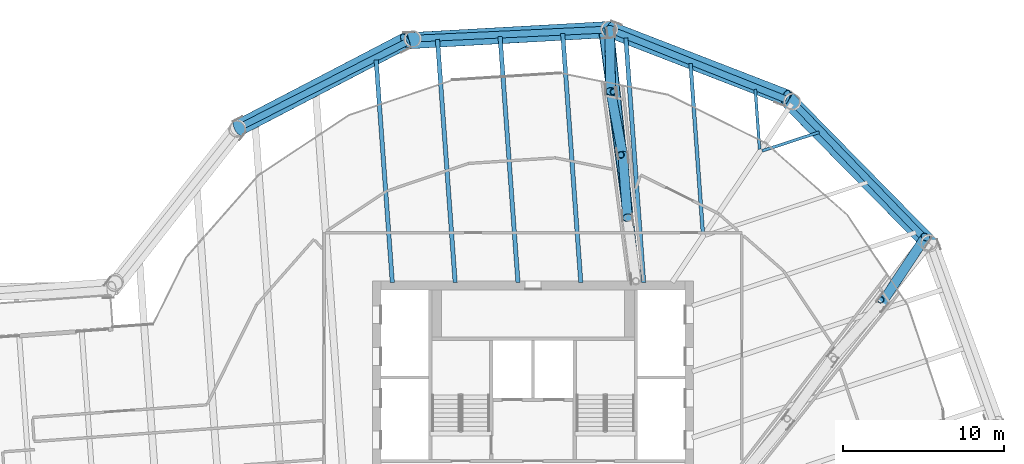
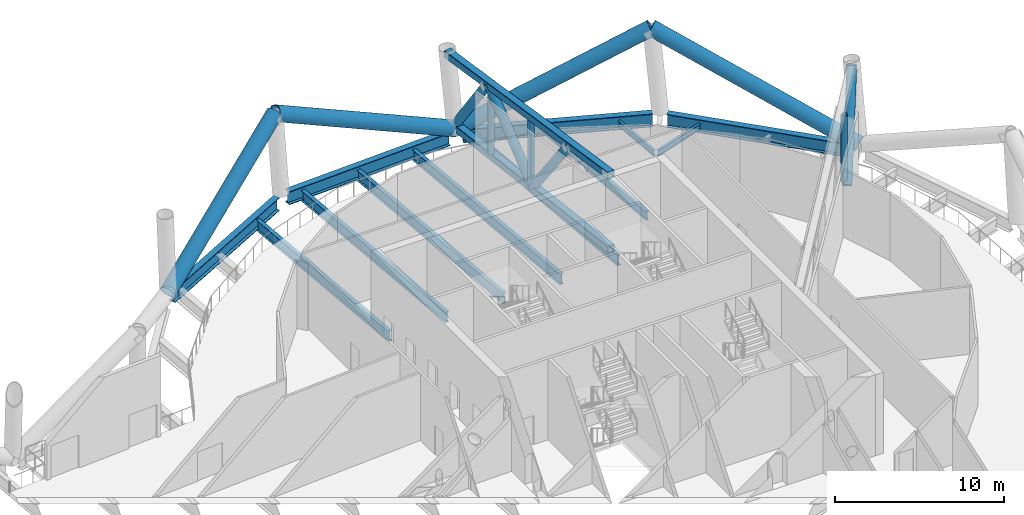
# One storey, part 8 of 33: 13 members, 12 beams.
"""IFC4 building model written with IfcOpenShell, lengths in metres."""

from ifc_helpers import new_model, si_unit, direction, frame, origin, origin_2d, place, context, subcontext, project, spatial, hollow_rectangle, hollow_circle, i_section, extrude, material, material_profile, profile_set, type_object, element, save


model = new_model("IFC4")

# Units and contexts
model_context = context("Model", 3, precision=1e-05, world=origin(), true_north=direction((0.0, 1.0)))
body_context = subcontext(model_context, "Body", "Model", "MODEL_VIEW")
ifc_project = project(units=[si_unit("LENGTHUNIT", "METRE"), si_unit("AREAUNIT", "SQUARE_METRE"), si_unit("VOLUMEUNIT", "CUBIC_METRE"), si_unit("PLANEANGLEUNIT", "RADIAN"), si_unit("MASSUNIT", "GRAM", prefix="KILO")], contexts=[model_context])

# Site, building, storey
site_placement = place(None, origin())
site = spatial("IfcSite", under=ifc_project, at=site_placement, CompositionType="ELEMENT")
building_placement = place(site_placement, origin())
building = spatial("IfcBuilding", under=site, at=building_placement, Name="Tarsis Ring Headquarters", CompositionType="ELEMENT")
storey_placement = place(building_placement, frame((0.0, 0.0, 302.0)))
storey = spatial("IfcBuildingStorey", under=building, at=storey_placement, Name="L71", CompositionType="ELEMENT", Elevation=302.0)

# Beams
ifc_material = material(Name="Structural steel S355", Category="steel")
ifc_material_profile_1 = material_profile(ifc_material, i_section(OverallWidth=0.177734375, OverallDepth=0.406494140625, WebThickness=0.0078125, FlangeThickness=0.0126953125, at=origin_2d()), Name="W16x40")
ifc_profile_set_1 = profile_set([ifc_material_profile_1], Name="Structural steel S355")
beam_type_1 = type_object("IfcBeamType", Name="FB Floor beam W16x40", PredefinedType="JOIST", material=ifc_profile_set_1)
for number, where, z_axis, x_axis, name in (
    (1, (14.254638671875, 21.093505859375, -0.503173828125), (0.950199135145, 0.311643391667, 0.0), (-0.311643391667, 0.950199135145, 0.0), "Floor beam FB1"),
    (2, (13.828125, 24.92919921875, -0.503173828125), (0.072494390523, -0.997368820118, 0.0), (0.997368820118, 0.072494390523, 0.0), "Floor beam FB1"),
):
    element("IfcBeam", number, at=place(storey_placement, frame(where, z_axis=z_axis, x_axis=x_axis)), inside=storey, type_object=beam_type_1, Name=name, PredefinedType="JOIST", context=body_context, shape_type="SweptSolid", body=[
        extrude(i_section(OverallWidth=0.177734375, OverallDepth=0.406494140625, WebThickness=0.0078125, FlangeThickness=0.0126953125, at=origin_2d()), origin(), (0.0, 0.0, 1.0), 3.741455078125),
    ])
ifc_material_profile_2 = material_profile(ifc_material, i_section(OverallWidth=0.228271484375, OverallDepth=0.607177734375, WebThickness=0.01123046875, FlangeThickness=0.017333984375, at=origin_2d()), Name="W24x76")
ifc_profile_set_2 = profile_set([ifc_material_profile_2], Name="Structural steel S355")
beam_type_2 = type_object("IfcBeamType", Name="FB Floor beam W24x76", PredefinedType="JOIST", material=ifc_profile_set_2)
beam_1_placement = place(storey_placement, frame((9.80126953125, 26.529052734375, -0.603515625), z_axis=(0.072544010366, -0.997365212227, 0.0), x_axis=(0.997365212227, 0.072544010366, 0.0)))
element("IfcBeam", 3, at=beam_1_placement, inside=storey, type_object=beam_type_2, Name="Floor beam FB4", PredefinedType="JOIST", context=body_context, shape_type="SweptSolid", body=[
    extrude(i_section(OverallWidth=0.228271484375, OverallDepth=0.607177734375, WebThickness=0.01123046875, FlangeThickness=0.017333984375, at=origin_2d()), origin(), (0.0, 0.0, 1.0), 10.621337890625),
])
ifc_material_profile_3 = material_profile(ifc_material, i_section(OverallWidth=0.2666015625, OverallDepth=0.7568359375, WebThickness=0.013916015625, FlangeThickness=0.019287109375, at=origin_2d()), Name="W30x108")
ifc_profile_set_3 = profile_set([ifc_material_profile_3], Name="Structural steel S355")
beam_type_3 = type_object("IfcBeamType", Name="FB Floor beam W30x108", PredefinedType="JOIST", material=ifc_profile_set_3)
beam_2_placement = place(storey_placement, frame((5.774658203125, 28.12890625, -0.678466796875), z_axis=(0.072543503776, -0.997365249074, 0.0), x_axis=(0.997365249074, 0.072543503776, 0.0)))
element("IfcBeam", 4, at=beam_2_placement, inside=storey, type_object=beam_type_3, Name="Floor beam FB6", PredefinedType="JOIST", context=body_context, shape_type="SweptSolid", body=[
    extrude(i_section(OverallWidth=0.2666015625, OverallDepth=0.7568359375, WebThickness=0.013916015625, FlangeThickness=0.019287109375, at=origin_2d()), origin(), (0.0, 0.0, 1.0), 15.26904296875),
])
beam_3_placement = place(storey_placement, frame((1.8447265625, 28.400390625, -0.678466796875), z_axis=(0.072529729249, -0.99736625087, 0.0), x_axis=(0.99736625087, 0.072529729249, 0.0)))
element("IfcBeam", 5, at=beam_3_placement, inside=storey, type_object=beam_type_3, Name="Floor beam FB6", PredefinedType="JOIST", context=body_context, shape_type="SweptSolid", body=[
    extrude(i_section(OverallWidth=0.2666015625, OverallDepth=0.7568359375, WebThickness=0.013916015625, FlangeThickness=0.019287109375, at=origin_2d()), origin(), (0.0, 0.0, 1.0), 15.541259765625),
])
beam_4_placement = place(storey_placement, frame((-2.052490234375, 28.218505859375, -0.678466796875), z_axis=(0.07254834549, -0.997364896899, 0.0), x_axis=(0.997364896899, 0.07254834549, 0.0)))
element("IfcBeam", 6, at=beam_4_placement, inside=storey, type_object=beam_type_3, Name="Floor beam FB6", PredefinedType="JOIST", context=body_context, shape_type="SweptSolid", body=[
    extrude(i_section(OverallWidth=0.2666015625, OverallDepth=0.7568359375, WebThickness=0.013916015625, FlangeThickness=0.019287109375, at=origin_2d()), origin(), (0.0, 0.0, 1.0), 15.35888671875),
])
beam_5_placement = place(storey_placement, frame((-5.949462890625, 28.036376953125, -0.678466796875), z_axis=(0.072536568638, -0.997365753478, 0.0), x_axis=(0.997365753478, 0.072536568638, 0.0)))
element("IfcBeam", 7, at=beam_5_placement, inside=storey, type_object=beam_type_3, Name="Floor beam FB6", PredefinedType="JOIST", context=body_context, shape_type="SweptSolid", body=[
    extrude(i_section(OverallWidth=0.2666015625, OverallDepth=0.7568359375, WebThickness=0.013916015625, FlangeThickness=0.019287109375, at=origin_2d()), origin(), (0.0, 0.0, 1.0), 15.17626953125),
])
beam_6_placement = place(storey_placement, frame((-9.766845703125, 26.759033203125, -0.678466796875), z_axis=(0.072545546628, -0.997365100484, 0.0), x_axis=(0.997365100484, 0.072545546628, 0.0)))
element("IfcBeam", 8, at=beam_6_placement, inside=storey, type_object=beam_type_3, Name="Floor beam FB6", PredefinedType="JOIST", context=body_context, shape_type="SweptSolid", body=[
    extrude(i_section(OverallWidth=0.2666015625, OverallDepth=0.7568359375, WebThickness=0.013916015625, FlangeThickness=0.019287109375, at=origin_2d()), origin(), (0.0, 0.0, 1.0), 13.8955078125),
])

# Members
ifc_material_profile_4 = material_profile(ifc_material, hollow_rectangle(XDim=0.508056640625, YDim=0.508056640625, WallThickness=0.025390625, InnerFilletRadius=0.025390625, OuterFilletRadius=0.05078125, at=origin_2d()), Name="HSS 508x508x25")
ifc_profile_set_4 = profile_set([ifc_material_profile_4], Name="Structural steel S355")
member_type_1 = type_object("IfcMemberType", Name="OC Outrigger chord HSS 508x508x25", PredefinedType="CHORD", material=ifc_profile_set_4)
member_1_placement = place(storey_placement, frame((6.39990234375, 13.0, 0.25390625), z_axis=(-0.103499301282, 0.994629526323, 0.0), x_axis=(-0.994629526323, -0.103499301282, 0.0)))
element("IfcMember", 9, at=member_1_placement, inside=storey, type_object=member_type_1, Name="Outrigger chord OC1", PredefinedType="CHORD", context=body_context, shape_type="SweptSolid", body=[
    extrude(hollow_rectangle(XDim=0.508056640625, YDim=0.508056640625, WallThickness=0.025390625, InnerFilletRadius=0.025390625, OuterFilletRadius=0.05078125, at=origin_2d()), origin(), (0.0, 0.0, 1.0), 15.73828125),
])
member_2_placement = place(storey_placement, frame((6.39990234375, 13.0, 5.5859375), z_axis=(-0.131830079208, 0.991272328987, 0.0), x_axis=(-0.991272328987, -0.131830079208, 0.0)))
element("IfcMember", 10, at=member_2_placement, inside=storey, type_object=member_type_1, Name="Outrigger chord OC1", PredefinedType="CHORD", context=body_context, shape_type="SweptSolid", body=[
    extrude(hollow_rectangle(XDim=0.508056640625, YDim=0.508056640625, WallThickness=0.025390625, InnerFilletRadius=0.025390625, OuterFilletRadius=0.05078125, at=origin_2d()), origin(), (0.0, 0.0, 1.0), 15.865478515625),
])
ifc_material_profile_5 = material_profile(ifc_material, hollow_circle(Radius=0.3046875, WallThickness=0.02490234375, at=origin_2d()), Name="CHS 610x25")
ifc_profile_set_5 = profile_set([ifc_material_profile_5], Name="Structural steel S355")
member_type_2 = type_object("IfcMemberType", Name="OD Outrigger diagonal CHS 610x25", PredefinedType="BRACE", material=ifc_profile_set_5)
member_3_placement = place(storey_placement, frame((21.7373046875, 11.669921875, 0.25390625), z_axis=(0.371746140726, 0.562353969068, 0.738622244675), x_axis=(-0.834205092637, 0.551454316711, 0.0)))
element("IfcMember", 11, at=member_3_placement, inside=storey, type_object=member_type_2, Name="Outrigger diagonal OD1", PredefinedType="BRACE", context=body_context, shape_type="SweptSolid", body=[
    extrude(hollow_circle(Radius=0.3046875, WallThickness=0.02490234375, at=origin_2d()), origin(), (0.0, 0.0, 1.0), 7.218994140625),
])
member_4_placement = place(storey_placement, frame((5.876953125, 16.931640625, 5.5859375), z_axis=(-0.044102200659, 0.589322120194, -0.806693519589), x_axis=(-0.997211532698, -0.074626798498, 0.0)))
element("IfcMember", 12, at=member_4_placement, inside=storey, type_object=member_type_2, Name="Outrigger diagonal OD1", PredefinedType="BRACE", context=body_context, shape_type="SweptSolid", body=[
    extrude(hollow_circle(Radius=0.3046875, WallThickness=0.02490234375, at=origin_2d()), origin(), (0.0, 0.0, 1.0), 6.609619140625),
])
member_5_placement = place(storey_placement, frame((5.58544921875, 20.826904296875, 0.25390625), z_axis=(-0.112740226902, 0.593227467809, 0.797101507134), x_axis=(-0.982416248769, -0.186703813981, 0.0)))
element("IfcMember", 13, at=member_5_placement, inside=storey, type_object=member_type_2, Name="Outrigger diagonal OD1", PredefinedType="BRACE", context=body_context, shape_type="SweptSolid", body=[
    extrude(hollow_circle(Radius=0.3046875, WallThickness=0.02490234375, at=origin_2d()), origin(), (0.0, 0.0, 1.0), 6.689208984375),
])
member_6_placement = place(storey_placement, frame((4.831298828125, 24.795166015625, 5.5859375), z_axis=(-0.009161701947, 0.586237648861, -0.81008733003), x_axis=(-0.999877905706, -0.015626057748, 0.0)))
element("IfcMember", 14, at=member_6_placement, inside=storey, type_object=member_type_2, Name="Outrigger diagonal OD1", PredefinedType="BRACE", context=body_context, shape_type="SweptSolid", body=[
    extrude(hollow_circle(Radius=0.3046875, WallThickness=0.02490234375, at=origin_2d()), origin(), (0.0, 0.0, 1.0), 6.58203125),
])
ifc_material_profile_6 = material_profile(ifc_material, hollow_circle(Radius=0.203125, WallThickness=0.01611328125, at=origin_2d()), Name="CHS 406x16")
ifc_profile_set_6 = profile_set([ifc_material_profile_6], Name="Structural steel S355")
member_type_3 = type_object("IfcMemberType", Name="OV Outrigger post CHS 406x16", PredefinedType="STRUT", material=ifc_profile_set_6)
for number, where, z_axis, x_axis, name in (
    (15, (21.636962890625, 11.828369140625, 0.508056640625), (0.0, 0.0, 1.0), (1.0, 0.0, 0.0), "Outrigger post OV1"),
    (16, (5.4697265625, 20.84521484375, 0.508056640625), (0.0, 0.0, 1.0), (1.0, 0.0, 0.0), "Outrigger post OV1"),
    (17, (5.0048828125, 24.767822265625, 0.508056640625), (0.0, 0.0, 1.0), (1.0, 0.0, 0.0), "Outrigger post OV1"),
):
    element("IfcMember", number, at=place(storey_placement, frame(where, z_axis=z_axis, x_axis=x_axis)), inside=storey, type_object=member_type_3, Name=name, PredefinedType="STRUT", context=body_context, shape_type="SweptSolid", body=[
        extrude(hollow_circle(Radius=0.203125, WallThickness=0.01611328125, at=origin_2d()), origin(), (0.0, 0.0, 1.0), 4.823974609375),
    ])
ifc_material_profile_7 = material_profile(ifc_material, hollow_circle(Radius=0.508056640625, WallThickness=0.0400390625, at=origin_2d()), Name="CHS 1016x40")
ifc_profile_set_7 = profile_set([ifc_material_profile_7], Name="Structural steel S355")
member_type_4 = type_object("IfcMemberType", Name="TD Belt truss diagonal CHS 1016x40", PredefinedType="BRACE", material=ifc_profile_set_7)
member_7_placement = place(storey_placement, frame((24.683349609375, 15.31494140625, 0.0), z_axis=(-0.634416099771, 0.645391018794, 0.425425252203), x_axis=(-0.713144317184, -0.701017248624, 0.0)))
element("IfcMember", 18, at=member_7_placement, inside=storey, type_object=member_type_4, Name="Belt truss diagonal TD6", PredefinedType="BRACE", context=body_context, shape_type="SweptSolid", body=[
    extrude(hollow_circle(Radius=0.508056640625, WallThickness=0.0400390625, at=origin_2d()), origin(), (0.0, 0.0, 1.0), 14.103515625),
])
member_8_placement = place(storey_placement, frame((4.793212890625, 28.650390625, 0.0), z_axis=(0.830368460718, -0.321227967702, 0.45530298946), x_axis=(0.360793864474, 0.932645585074, 0.0)))
element("IfcMember", 19, at=member_8_placement, inside=storey, type_object=member_type_4, Name="Belt truss diagonal TD6", PredefinedType="BRACE", context=body_context, shape_type="SweptSolid", body=[
    extrude(hollow_circle(Radius=0.508056640625, WallThickness=0.0400390625, at=origin_2d()), origin(), (0.0, 0.0, 1.0), 13.177978515625),
])
member_9_placement = place(storey_placement, frame((4.793212890625, 28.650390625, 0.0), z_axis=(-0.903589143091, -0.050425394621, 0.425422072848), x_axis=(0.055718972191, -0.998446491374, 0.0)))
element("IfcMember", 20, at=member_9_placement, inside=storey, type_object=member_type_4, Name="Belt truss diagonal TD6", PredefinedType="BRACE", context=body_context, shape_type="SweptSolid", body=[
    extrude(hollow_circle(Radius=0.508056640625, WallThickness=0.0400390625, at=origin_2d()), origin(), (0.0, 0.0, 1.0), 14.103759765625),
])
member_10_placement = place(storey_placement, frame((-18.3544921875, 22.514892578125, 0.0), z_axis=(0.789476854458, 0.411615824667, 0.455300679945), x_axis=(-0.462314250295, 0.886716151863, 0.0)))
element("IfcMember", 21, at=member_10_placement, inside=storey, type_object=member_type_4, Name="Belt truss diagonal TD6", PredefinedType="BRACE", context=body_context, shape_type="SweptSolid", body=[
    extrude(hollow_circle(Radius=0.508056640625, WallThickness=0.0400390625, at=origin_2d()), origin(), (0.0, 0.0, 1.0), 13.17822265625),
])

# Beams
ifc_material_profile_8 = material_profile(ifc_material, i_section(OverallWidth=0.42431640625, OverallDepth=0.947509765625, WebThickness=0.02392578125, FlangeThickness=0.042724609375, at=origin_2d()), Name="W36x302")
ifc_profile_set_8 = profile_set([ifc_material_profile_8], Name="Structural steel S355")
beam_type_4 = type_object("IfcBeamType", Name="XG Ring girder W36x302", PredefinedType="BEAM", material=ifc_profile_set_8)
for number, where, z_axis, x_axis, name in (
    (22, (24.365966796875, 15.643798828125, -0.4736328125), (-0.694525318419, 0.719468263424, 0.0), (-0.719468263424, -0.694525318419, 0.0), "Ring girder XG1"),
    (23, (15.75146484375, 24.29638671875, -0.4736328125), (-0.929335785392, 0.369235694361, 0.0), (-0.369235694361, -0.929335785392, 0.0), "Ring girder XG1"),
    (24, (4.33642578125, 28.62890625, -0.4736328125), (-0.998912050406, -0.046633845588, 0.0), (0.046633845588, -0.998912050406, 0.0), "Ring girder XG1"),
    (25, (-7.849609375, 27.871337890625, -0.4736328125), (-0.89087555439, -0.454247450835, 0.0), (0.454247450835, -0.89087555439, 0.0), "Ring girder XG1"),
):
    element("IfcBeam", number, at=place(storey_placement, frame(where, z_axis=z_axis, x_axis=x_axis)), inside=storey, type_object=beam_type_4, Name=name, PredefinedType="BEAM", context=body_context, shape_type="SweptSolid", body=[
        extrude(i_section(OverallWidth=0.42431640625, OverallDepth=0.947509765625, WebThickness=0.02392578125, FlangeThickness=0.042724609375, at=origin_2d()), origin(), (0.0, 0.0, 1.0), 11.33447265625),
    ])

save(model, "model.ifc")
